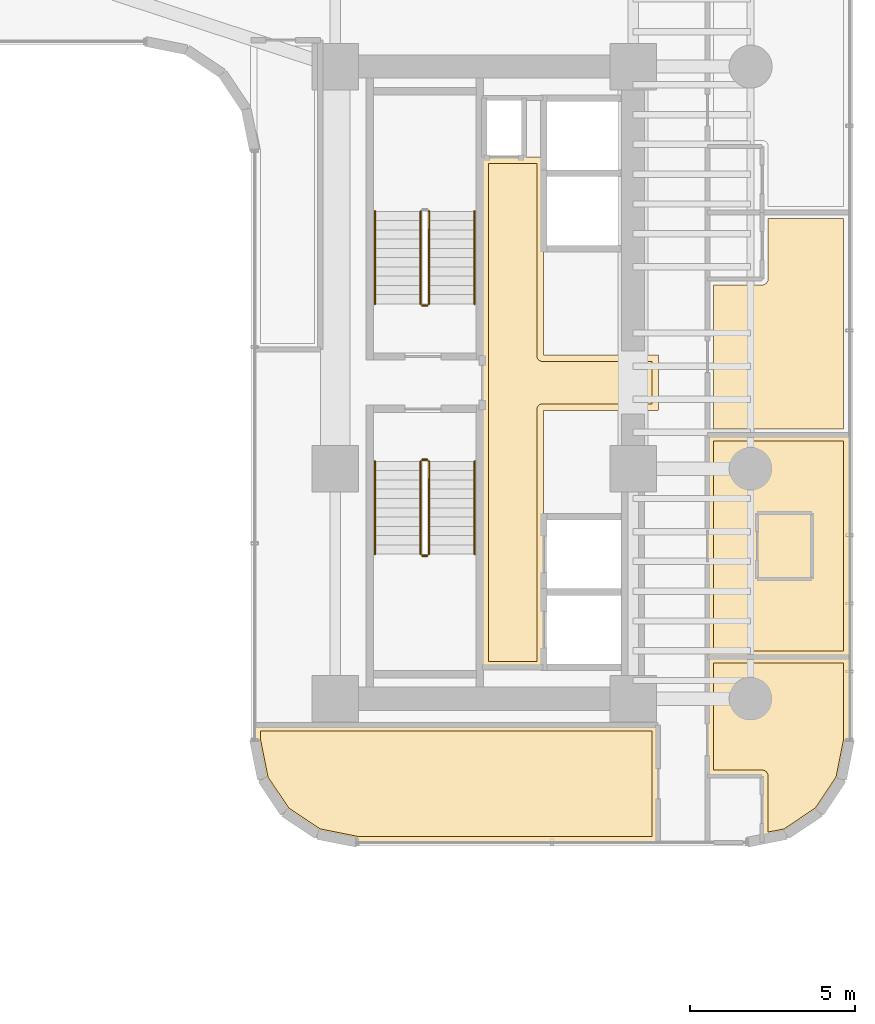
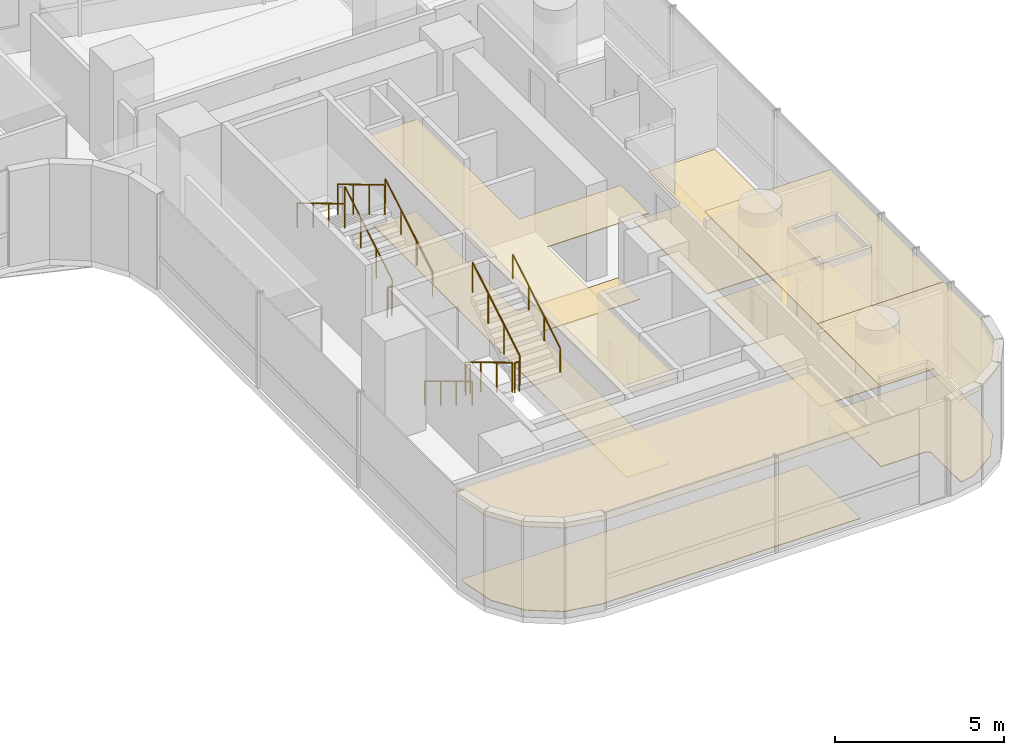
# One storey, part 37 of 39: 11 railings, 9 coverings.
"""IFC4 building model written with IfcOpenShell, lengths in metres."""

from ifc_helpers import new_model, si_unit, direction, frame, origin, origin_2d, place, context, subcontext, project, spatial, polyline, circle, outline, extrude, material, layer, layer_set, type_object, element, save


model = new_model("IFC4")

# Units and contexts
model_context = context("Model", 3, precision=1e-05, world=origin(), true_north=direction((0.0, 1.0)))
body_context = subcontext(model_context, "Body", "Model", "MODEL_VIEW")
ifc_project = project(units=[si_unit("LENGTHUNIT", "METRE"), si_unit("AREAUNIT", "SQUARE_METRE"), si_unit("VOLUMEUNIT", "CUBIC_METRE"), si_unit("PLANEANGLEUNIT", "RADIAN"), si_unit("MASSUNIT", "GRAM", prefix="KILO")], contexts=[model_context])

# Site, building, storey
site_placement = place(None, origin())
site = spatial("IfcSite", under=ifc_project, at=site_placement, CompositionType="ELEMENT")
building_placement = place(site_placement, origin())
building = spatial("IfcBuilding", under=site, at=building_placement, Name="Valdorenza Pilgrim Sanctuary Tower", CompositionType="ELEMENT")
storey_placement = place(building_placement, frame((0.0, 0.0, 74.10009765625)))
storey = spatial("IfcBuildingStorey", under=building, at=storey_placement, Name="L18", CompositionType="ELEMENT", Elevation=74.10009765625)

# Coverings
ifc_material_1 = material(Name="Micro-perforated acoustic mineral ceiling tile", Category="gypsum")
ifc_layer_1 = layer(ifc_material_1, 0.02490234375, Name="Micro-perforated acoustic mineral ceiling tile")
ifc_layer_set_1 = layer_set([ifc_layer_1], Name="Micro-perforated acoustic mineral ceiling tile")
covering_type_1 = type_object("IfcCoveringType", Name="COV-CLG-ACU", PredefinedType="CEILING", material=ifc_layer_set_1)
covering_1_placement = place(storey_placement, frame((0.0, 0.0, 3.159912109375)))
element("IfcCovering", 1, at=covering_1_placement, inside=storey, type_object=covering_type_1, Name="L18 Core B Passenger Lift Lobby Acoustic Ceiling", PredefinedType="CEILING", context=body_context, shape_type="SweptSolid", body=[
    extrude(outline(polyline([(20.287109375, -0.814697265625), (20.287109375, 0.814697265625), (20.28662109375, 0.815185546875), (20.2861328125, 0.81640625), (20.28564453125, 0.81787109375), (20.285400390625, 0.819091796875), (20.28515625, 0.820556640625), (20.284912109375, 0.822021484375), (20.284912109375, 6.800048828125), (20.28515625, 6.801513671875), (20.285400390625, 6.802978515625), (20.28564453125, 6.804443359375), (20.2861328125, 6.8056640625), (20.286865234375, 6.80712890625), (20.28759765625, 6.808349609375), (20.288330078125, 6.8095703125), (20.289306640625, 6.810546875), (20.29052734375, 6.8115234375), (20.291748046875, 6.8125), (20.29296875, 6.813232421875), (20.294189453125, 6.81396484375), (20.295654296875, 6.814453125), (20.297119140625, 6.814697265625), (20.298583984375, 6.81494140625), (20.300048828125, 6.81494140625), (20.347900390625, 6.81494140625), (20.349365234375, 6.81494140625), (20.350830078125, 6.814697265625), (20.352294921875, 6.814453125), (20.353515625, 6.81396484375), (20.35498046875, 6.813232421875), (20.35546875, 6.81298828125), (21.544677734375, 6.81298828125), (21.545166015625, 6.813232421875), (21.54638671875, 6.81396484375), (21.5478515625, 6.814453125), (21.54931640625, 6.814697265625), (21.550537109375, 6.81494140625), (21.552001953125, 6.81494140625), (22.1201171875, 6.81494140625), (22.12158203125, 6.81494140625), (22.122802734375, 6.814697265625), (22.12451171875, 6.814453125), (22.125732421875, 6.81396484375), (22.127197265625, 6.813232421875), (22.12841796875, 6.8125), (22.12939453125, 6.8115234375), (22.130615234375, 6.810546875), (22.131591796875, 6.8095703125), (22.132568359375, 6.808349609375), (22.13330078125, 6.80712890625), (22.1337890625, 6.8056640625), (22.134521484375, 6.804443359375), (22.134765625, 6.802978515625), (22.135009765625, 6.801513671875), (22.135009765625, 6.800048828125), (22.135009765625, 0.8349609375), (25.60009765625, 0.8349609375), (25.6015625, 0.8349609375), (25.602783203125, 0.834716796875), (25.6044921875, 0.83447265625), (25.605712890625, 0.833984375), (25.607177734375, 0.833251953125), (25.6083984375, 0.83251953125), (25.609619140625, 0.83154296875), (25.610595703125, 0.83056640625), (25.611572265625, 0.82958984375), (25.612548828125, 0.828369140625), (25.61328125, 0.8271484375), (25.614013671875, 0.82568359375), (25.614501953125, 0.824462890625), (25.61474609375, 0.822998046875), (25.614990234375, 0.821533203125), (25.614990234375, 0.820068359375), (25.614990234375, -0.820068359375), (25.614990234375, -0.821533203125), (25.61474609375, -0.822998046875), (25.614501953125, -0.824462890625), (25.614013671875, -0.82568359375), (25.61328125, -0.8271484375), (25.612548828125, -0.828369140625), (25.611572265625, -0.82958984375), (25.610595703125, -0.83056640625), (25.609619140625, -0.83154296875), (25.6083984375, -0.83251953125), (25.607177734375, -0.833251953125), (25.605712890625, -0.833984375), (25.6044921875, -0.83447265625), (25.602783203125, -0.834716796875), (25.6015625, -0.8349609375), (25.60009765625, -0.8349609375), (22.135009765625, -0.8349609375), (22.135009765625, -8.60009765625), (22.135009765625, -8.6015625), (22.134765625, -8.602783203125), (22.134521484375, -8.6044921875), (22.1337890625, -8.605712890625), (22.13330078125, -8.607177734375), (22.132568359375, -8.6083984375), (22.131591796875, -8.609619140625), (22.130615234375, -8.610595703125), (22.12939453125, -8.611572265625), (22.12841796875, -8.612548828125), (22.127197265625, -8.61328125), (22.125732421875, -8.614013671875), (22.12451171875, -8.614501953125), (22.122802734375, -8.61474609375), (22.12158203125, -8.614990234375), (22.1201171875, -8.614990234375), (20.300048828125, -8.614990234375), (20.298583984375, -8.614990234375), (20.297119140625, -8.61474609375), (20.295654296875, -8.614501953125), (20.294189453125, -8.614013671875), (20.29296875, -8.61328125), (20.291748046875, -8.612548828125), (20.29052734375, -8.611572265625), (20.289306640625, -8.610595703125), (20.288330078125, -8.609619140625), (20.28759765625, -8.6083984375), (20.286865234375, -8.607177734375), (20.2861328125, -8.605712890625), (20.28564453125, -8.6044921875), (20.285400390625, -8.602783203125), (20.28515625, -8.6015625), (20.284912109375, -8.60009765625), (20.284912109375, -0.822021484375), (20.28515625, -0.820556640625), (20.285400390625, -0.819091796875), (20.28564453125, -0.81787109375), (20.2861328125, -0.81640625), (20.28662109375, -0.815185546875), (20.287109375, -0.814697265625)])), origin(), (0.0, 0.0, 1.0), 0.02490234375),
])
covering_2_placement = place(storey_placement, frame((0.0, 0.0, 3.159912109375)))
element("IfcCovering", 2, at=covering_2_placement, inside=storey, type_object=covering_type_1, Name="L18 Theological Reference Library L18-BS Acoustic Ceiling", PredefinedType="CEILING", context=body_context, shape_type="SweptSolid", body=[
    extrude(outline(polyline([(25.614990234375, -13.889892578125), (25.614990234375, -13.8916015625), (25.61474609375, -13.892822265625), (25.614501953125, -13.894287109375), (25.614013671875, -13.895751953125), (25.61328125, -13.897216796875), (25.612548828125, -13.898193359375), (25.611572265625, -13.8994140625), (25.610595703125, -13.900634765625), (25.609619140625, -13.901611328125), (25.6083984375, -13.902587890625), (25.607177734375, -13.9033203125), (25.605712890625, -13.90380859375), (25.6044921875, -13.904296875), (25.602783203125, -13.90478515625), (25.6015625, -13.90478515625), (25.60009765625, -13.905029296875), (16.5107421875, -13.905029296875), (16.509521484375, -13.90478515625), (16.5078125, -13.90478515625), (15.3154296875, -13.66748046875), (15.31396484375, -13.6669921875), (15.3125, -13.66650390625), (15.311279296875, -13.666015625), (15.31005859375, -13.665283203125), (14.308349609375, -12.995849609375), (14.30712890625, -12.9951171875), (14.305908203125, -12.993896484375), (14.304931640625, -12.992919921875), (14.30419921875, -12.99169921875), (13.634765625, -11.989990234375), (13.634033203125, -11.98876953125), (13.63330078125, -11.9873046875), (13.6328125, -11.986083984375), (13.632568359375, -11.984619140625), (13.395263671875, -10.7919921875), (13.39501953125, -10.79052734375), (13.39501953125, -10.789306640625), (13.39501953125, -10.35009765625), (13.39501953125, -10.348388671875), (13.395263671875, -10.34716796875), (13.3955078125, -10.345703125), (13.39599609375, -10.34423828125), (13.396728515625, -10.343017578125), (13.3974609375, -10.341796875), (13.3984375, -10.340576171875), (13.3994140625, -10.33935546875), (13.400390625, -10.33837890625), (13.401611328125, -10.33740234375), (13.40283203125, -10.3369140625), (13.404296875, -10.336181640625), (13.405517578125, -10.335693359375), (13.406982421875, -10.335205078125), (13.408447265625, -10.335205078125), (13.409912109375, -10.3349609375), (25.60009765625, -10.3349609375), (25.6015625, -10.335205078125), (25.602783203125, -10.335205078125), (25.6044921875, -10.335693359375), (25.605712890625, -10.336181640625), (25.607177734375, -10.3369140625), (25.6083984375, -10.33740234375), (25.609619140625, -10.33837890625), (25.610595703125, -10.33935546875), (25.611572265625, -10.340576171875), (25.612548828125, -10.341796875), (25.61328125, -10.343017578125), (25.614013671875, -10.34423828125), (25.614501953125, -10.345703125), (25.61474609375, -10.34716796875), (25.614990234375, -10.348388671875), (25.614990234375, -10.35009765625), (25.614990234375, -13.889892578125)])), origin(), (0.0, 0.0, 1.0), 0.02490234375),
])
covering_3_placement = place(storey_placement, frame((0.0, 0.0, 3.159912109375)))
element("IfcCovering", 3, at=covering_3_placement, inside=storey, type_object=covering_type_1, Name="L18 East Sanctuary Guest Room L18-EG1 Acoustic Ceiling", PredefinedType="CEILING", context=body_context, shape_type="SweptSolid", body=[
    extrude(outline(polyline([(28.737060546875, -11.903076171875), (27.10009765625, -11.903076171875), (27.098388671875, -11.90283203125), (27.09716796875, -11.902587890625), (27.095703125, -11.90234375), (27.09423828125, -11.90185546875), (27.093017578125, -11.901123046875), (27.091796875, -11.900390625), (27.090576171875, -11.899658203125), (27.08935546875, -11.898681640625), (27.08837890625, -11.8974609375), (27.08740234375, -11.896240234375), (27.0869140625, -11.89501953125), (27.086181640625, -11.893798828125), (27.085693359375, -11.892333984375), (27.085205078125, -11.890869140625), (27.085205078125, -11.889404296875), (27.0849609375, -11.887939453125), (27.0849609375, -8.287109375), (27.085205078125, -8.285400390625), (27.085205078125, -8.2841796875), (27.085693359375, -8.28271484375), (27.086181640625, -8.28125), (27.0869140625, -8.27978515625), (27.08740234375, -8.27880859375), (27.08837890625, -8.277587890625), (27.08935546875, -8.2763671875), (27.090576171875, -8.275390625), (27.091796875, -8.2744140625), (27.093017578125, -8.273681640625), (27.09423828125, -8.273193359375), (27.095703125, -8.272705078125), (27.09716796875, -8.272216796875), (27.098388671875, -8.272216796875), (27.10009765625, -8.27197265625), (31.389892578125, -8.27197265625), (31.3916015625, -8.272216796875), (31.392822265625, -8.272216796875), (31.394287109375, -8.272705078125), (31.395751953125, -8.273193359375), (31.397216796875, -8.273681640625), (31.398193359375, -8.2744140625), (31.3994140625, -8.275390625), (31.400634765625, -8.2763671875), (31.401611328125, -8.277587890625), (31.402587890625, -8.27880859375), (31.4033203125, -8.27978515625), (31.40380859375, -8.28125), (31.404296875, -8.28271484375), (31.40478515625, -8.2841796875), (31.40478515625, -8.285400390625), (31.405029296875, -8.287109375), (31.405029296875, -10.789306640625), (31.40478515625, -10.79052734375), (31.40478515625, -10.7919921875), (31.16748046875, -11.984619140625), (31.1669921875, -11.986083984375), (31.16650390625, -11.9873046875), (31.166015625, -11.98876953125), (31.165283203125, -11.989990234375), (30.495849609375, -12.99169921875), (30.4951171875, -12.992919921875), (30.493896484375, -12.993896484375), (30.492919921875, -12.9951171875), (30.49169921875, -12.995849609375), (29.489990234375, -13.665283203125), (29.48876953125, -13.666015625), (29.4873046875, -13.66650390625), (29.486083984375, -13.6669921875), (29.484619140625, -13.66748046875), (28.7548828125, -13.8125), (28.75341796875, -13.81298828125), (28.751953125, -13.81298828125), (28.75048828125, -13.81298828125), (28.7490234375, -13.8125), (28.74755859375, -13.812255859375), (28.746337890625, -13.811767578125), (28.744873046875, -13.811279296875), (28.74365234375, -13.810302734375), (28.742431640625, -13.8095703125), (28.741455078125, -13.80859375), (28.740478515625, -13.807373046875), (28.739501953125, -13.806396484375), (28.73876953125, -13.804931640625), (28.738037109375, -13.8037109375), (28.737548828125, -13.80224609375), (28.7373046875, -13.80078125), (28.737060546875, -13.79931640625), (28.737060546875, -13.7978515625), (28.737060546875, -11.903076171875)])), origin(), (0.0, 0.0, 1.0), 0.02490234375),
])
covering_4_placement = place(storey_placement, frame((0.0, 0.0, 3.159912109375)))
element("IfcCovering", 4, at=covering_4_placement, inside=storey, type_object=covering_type_1, Name="L18 East Sanctuary Guest Room L18-EG2 Acoustic Ceiling", PredefinedType="CEILING", context=body_context, shape_type="SweptSolid", body=[
    extrude(outline(polyline([(31.389892578125, -1.56005859375), (31.3916015625, -1.56005859375), (31.392822265625, -1.560302734375), (31.394287109375, -1.560546875), (31.395751953125, -1.56103515625), (31.397216796875, -1.561767578125), (31.398193359375, -1.5625), (31.3994140625, -1.5634765625), (31.400634765625, -1.564453125), (31.401611328125, -1.5654296875), (31.402587890625, -1.566650390625), (31.4033203125, -1.56787109375), (31.40380859375, -1.5693359375), (31.404296875, -1.570556640625), (31.40478515625, -1.572021484375), (31.40478515625, -1.573486328125), (31.405029296875, -1.574951171875), (31.405029296875, -8.284912109375), (31.40478515625, -8.28662109375), (31.40478515625, -8.287841796875), (31.404296875, -8.289306640625), (31.40380859375, -8.290771484375), (31.4033203125, -8.2919921875), (31.402587890625, -8.293212890625), (31.401611328125, -8.29443359375), (31.400634765625, -8.295654296875), (31.3994140625, -8.296630859375), (31.398193359375, -8.297607421875), (31.397216796875, -8.298095703125), (31.395751953125, -8.298828125), (31.394287109375, -8.29931640625), (31.392822265625, -8.2998046875), (31.3916015625, -8.2998046875), (31.389892578125, -8.300048828125), (27.10009765625, -8.300048828125), (27.098388671875, -8.2998046875), (27.09716796875, -8.2998046875), (27.095703125, -8.29931640625), (27.09423828125, -8.298828125), (27.093017578125, -8.298095703125), (27.091796875, -8.297607421875), (27.090576171875, -8.296630859375), (27.08935546875, -8.295654296875), (27.08837890625, -8.29443359375), (27.08740234375, -8.293212890625), (27.0869140625, -8.2919921875), (27.086181640625, -8.290771484375), (27.085693359375, -8.289306640625), (27.085205078125, -8.287841796875), (27.085205078125, -8.28662109375), (27.0849609375, -8.284912109375), (27.0849609375, -1.574951171875), (27.085205078125, -1.573486328125), (27.085205078125, -1.572021484375), (27.085693359375, -1.570556640625), (27.086181640625, -1.5693359375), (27.0869140625, -1.56787109375), (27.08740234375, -1.566650390625), (27.08837890625, -1.5654296875), (27.08935546875, -1.564453125), (27.090576171875, -1.5634765625), (27.091796875, -1.5625), (27.093017578125, -1.561767578125), (27.09423828125, -1.56103515625), (27.095703125, -1.560546875), (27.09716796875, -1.560302734375), (27.098388671875, -1.56005859375), (27.10009765625, -1.56005859375), (31.389892578125, -1.56005859375)])), origin(), (0.0, 0.0, 1.0), 0.02490234375),
])
ifc_material_2 = material(Name="Engineered European oak timber flooring", Category="wood")
ifc_layer_2 = layer(ifc_material_2, 0.02197265625, Name="Engineered European oak timber flooring")
ifc_layer_set_2 = layer_set([ifc_layer_2], Name="Engineered European oak timber flooring")
covering_type_2 = type_object("IfcCoveringType", Name="COV-FLR-OAK", PredefinedType="FLOORING", material=ifc_layer_set_2)
covering_5_placement = place(storey_placement, origin())
element("IfcCovering", 5, at=covering_5_placement, inside=storey, type_object=covering_type_2, Name="L18 East Sanctuary Guest Room L18-EG1 Flooring", PredefinedType="FLOORING", context=body_context, shape_type="SweptSolid", body=[
    extrude(outline(polyline([(31.2099609375, -10.771484375), (30.983154296875, -11.911376953125), (30.353515625, -12.853515625), (29.411376953125, -13.483154296875), (28.931884765625, -13.57861328125), (28.931884765625, -11.889892578125), (28.931884765625, -11.881103515625), (28.931884765625, -11.881103515625), (28.929931640625, -11.86328125), (28.929931640625, -11.86328125), (28.926513671875, -11.845947265625), (28.926513671875, -11.845703125), (28.92138671875, -11.828857421875), (28.92138671875, -11.82861328125), (28.91455078125, -11.812255859375), (28.91455078125, -11.81201171875), (28.90625, -11.79638671875), (28.906005859375, -11.79638671875), (28.896240234375, -11.78173828125), (28.89599609375, -11.781494140625), (28.885009765625, -11.767822265625), (28.884765625, -11.767578125), (28.872314453125, -11.755126953125), (28.8720703125, -11.755126953125), (28.8583984375, -11.743896484375), (28.8583984375, -11.743896484375), (28.843505859375, -11.73388671875), (28.843505859375, -11.73388671875), (28.827880859375, -11.7255859375), (28.82763671875, -11.725341796875), (28.811279296875, -11.71875), (28.811279296875, -11.718505859375), (28.794189453125, -11.71337890625), (28.794189453125, -11.71337890625), (28.77685546875, -11.7099609375), (28.776611328125, -11.7099609375), (28.759033203125, -11.708251953125), (28.7587890625, -11.708251953125), (28.75, -11.7080078125), (27.280029296875, -11.7080078125), (27.280029296875, -8.467041015625), (31.2099609375, -8.467041015625), (31.2099609375, -10.771484375)])), origin(), (0.0, 0.0, 1.0), 0.02490234375),
])
covering_6_placement = place(storey_placement, origin())
element("IfcCovering", 6, at=covering_6_placement, inside=storey, type_object=covering_type_2, Name="L18 East Sanctuary Guest Room L18-EG2 Flooring", PredefinedType="FLOORING", context=body_context, shape_type="SweptSolid", body=[
    extrude(outline(polyline([(31.2099609375, -1.7548828125), (31.2099609375, -8.10498046875), (27.280029296875, -8.10498046875), (27.280029296875, -1.7548828125), (31.2099609375, -1.7548828125)])), origin(), (0.0, 0.0, 1.0), 0.02490234375),
])
covering_7_placement = place(storey_placement, origin())
element("IfcCovering", 7, at=covering_7_placement, inside=storey, type_object=covering_type_2, Name="L18 East Sanctuary Guest Room L18-EG3 Flooring", PredefinedType="FLOORING", context=body_context, shape_type="SweptSolid", body=[
    extrude(outline(polyline([(27.280029296875, 2.9560546875), (28.75, 2.9560546875), (28.7587890625, 2.956298828125), (28.759033203125, 2.956298828125), (28.776611328125, 2.9580078125), (28.77685546875, 2.9580078125), (28.794189453125, 2.96142578125), (28.794189453125, 2.96142578125), (28.811279296875, 2.966552734375), (28.811279296875, 2.966796875), (28.82763671875, 2.973388671875), (28.827880859375, 2.973388671875), (28.843505859375, 2.981689453125), (28.843505859375, 2.98193359375), (28.8583984375, 2.99169921875), (28.8583984375, 2.991943359375), (28.8720703125, 3.003173828125), (28.872314453125, 3.003173828125), (28.884765625, 3.015625), (28.885009765625, 3.015869140625), (28.89599609375, 3.029541015625), (28.896240234375, 3.02978515625), (28.906005859375, 3.04443359375), (28.90625, 3.04443359375), (28.91455078125, 3.06005859375), (28.91455078125, 3.060302734375), (28.92138671875, 3.07666015625), (28.92138671875, 3.076904296875), (28.926513671875, 3.09375), (28.926513671875, 3.093994140625), (28.929931640625, 3.111083984375), (28.929931640625, 3.111328125), (28.931884765625, 3.12890625), (28.931884765625, 3.129150390625), (28.931884765625, 3.137939453125), (28.931884765625, 4.9580078125), (31.2099609375, 4.9580078125), (31.2099609375, -1.39306640625), (27.280029296875, -1.39306640625), (27.280029296875, 2.9560546875)])), origin(), (0.0, 0.0, 1.0), 0.02490234375),
])
ifc_material_3 = material(Name="Honed travertine stone flooring", Category="masonry")
ifc_layer_3 = layer(ifc_material_3, 0.030029296875, Name="Honed travertine stone flooring")
ifc_layer_set_3 = layer_set([ifc_layer_3], Name="Honed travertine stone flooring")
covering_type_3 = type_object("IfcCoveringType", Name="COV-FLR-TRV", PredefinedType="FLOORING", material=ifc_layer_set_3)
covering_8_placement = place(storey_placement, origin())
element("IfcCovering", 8, at=covering_8_placement, inside=storey, type_object=covering_type_3, Name="L18 Core B Passenger Lift Lobby Flooring", PredefinedType="FLOORING", context=body_context, shape_type="SweptSolid", body=[
    extrude(outline(polyline([(20.47998046875, 6.617919921875), (21.550048828125, 6.617919921875), (21.550537109375, 6.617919921875), (21.93994140625, 6.619384765625), (21.93994140625, 0.820068359375), (21.94091796875, 0.802490234375), (21.943603515625, 0.784912109375), (21.94775390625, 0.767578125), (21.95361328125, 0.751220703125), (21.961181640625, 0.735107421875), (21.97021484375, 0.719970703125), (21.98095703125, 0.705810546875), (21.99267578125, 0.692626953125), (22.005859375, 0.680908203125), (22.02001953125, 0.67041015625), (22.03515625, 0.661376953125), (22.051025390625, 0.65380859375), (22.067626953125, 0.647705078125), (22.0849609375, 0.6435546875), (22.102294921875, 0.640869140625), (22.1201171875, 0.639892578125), (25.419921875, 0.639892578125), (25.419921875, -0.639892578125), (22.1201171875, -0.639892578125), (22.102294921875, -0.640869140625), (22.0849609375, -0.6435546875), (22.067626953125, -0.647705078125), (22.051025390625, -0.65380859375), (22.03515625, -0.661376953125), (22.02001953125, -0.67041015625), (22.005859375, -0.680908203125), (21.99267578125, -0.692626953125), (21.98095703125, -0.705810546875), (21.97021484375, -0.719970703125), (21.961181640625, -0.735107421875), (21.95361328125, -0.751220703125), (21.94775390625, -0.767578125), (21.943603515625, -0.784912109375), (21.94091796875, -0.802490234375), (21.93994140625, -0.820068359375), (21.93994140625, -8.419921875), (20.47998046875, -8.419921875), (20.47998046875, -0.846923828125), (20.47998046875, -0.8466796875), (20.47998046875, -0.8466796875), (20.481689453125, -0.8291015625), (20.481689453125, -0.828857421875), (20.48193359375, -0.820068359375), (20.48193359375, 0.820068359375), (20.47998046875, 6.617919921875)])), origin(), (0.0, 0.0, 1.0), 0.02490234375),
])
covering_9_placement = place(storey_placement, origin())
element("IfcCovering", 9, at=covering_9_placement, inside=storey, type_object=covering_type_3, Name="L18 Theological Reference Library L18-BS Flooring", PredefinedType="FLOORING", context=body_context, shape_type="SweptSolid", body=[
    extrude(outline(polyline([(25.419921875, -13.7099609375), (16.528564453125, -13.7099609375), (15.388671875, -13.483154296875), (14.4462890625, -12.853515625), (13.81689453125, -11.911376953125), (13.590087890625, -10.771484375), (13.590087890625, -10.530029296875), (25.419921875, -10.530029296875), (25.419921875, -13.7099609375)])), origin(), (0.0, 0.0, 1.0), 0.02490234375),
])

# Railings
ifc_material_4 = material(Name="Stainless steel Grade 316", Category="steel")
railing_type_1 = type_object("IfcRailingType", Name="RLG-GRD-1120", PredefinedType="GUARDRAIL", material=ifc_material_4)
railing_1_placement = place(storey_placement, frame((18.679931640625, 2.3798828125, 0.16796875)))
element("IfcRailing", 10, at=railing_1_placement, inside=storey, type_object=railing_type_1, Name="L18 ST-B1 stair guard 1", PredefinedType="GUARDRAIL", context=body_context, shape_type="SweptSolid", body=[
    extrude(circle(Radius=0.02392578125, at=origin_2d()), frame((0.0, 0.0, 1.076171875), z_axis=(0.0, 0.857242210791, 0.514913383045), x_axis=(-1.0, 0.0, 0.0)), (0.0, 0.0, 1.0), 3.266357421875),
    extrude(circle(Radius=0.02099609375, at=origin_2d()), origin(), (0.0, 0.0, 1.0), 1.052001953125),
    extrude(circle(Radius=0.02099609375, at=origin_2d()), frame((0.0, 0.933349609375, 0.560546875)), (0.0, 0.0, 1.0), 1.052001953125),
    extrude(circle(Radius=0.02099609375, at=origin_2d()), frame((0.0, 1.86669921875, 1.121337890625)), (0.0, 0.0, 1.0), 1.052001953125),
    extrude(circle(Radius=0.02099609375, at=origin_2d()), frame((0.0, 2.800048828125, 1.681884765625)), (0.0, 0.0, 1.0), 1.052001953125),
])
railing_2_placement = place(storey_placement, frame((18.429931640625, 5.179931640625, 2.01806640625)))
element("IfcRailing", 11, at=railing_2_placement, inside=storey, type_object=railing_type_1, Name="L18 ST-B1 stair guard 3", PredefinedType="GUARDRAIL", context=body_context, shape_type="SweptSolid", body=[
    extrude(circle(Radius=0.02392578125, at=origin_2d()), frame((0.0, 0.0, 1.076171875), z_axis=(0.0, -0.857242210791, 0.514913383045), x_axis=(1.0, 0.0, 0.0)), (0.0, 0.0, 1.0), 3.266357421875),
    extrude(circle(Radius=0.02099609375, at=origin_2d()), origin(), (0.0, 0.0, 1.0), 1.052001953125),
    extrude(circle(Radius=0.02099609375, at=origin_2d()), frame((0.0, -0.933349609375, 0.560546875)), (0.0, 0.0, 1.0), 1.052001953125),
    extrude(circle(Radius=0.02099609375, at=origin_2d()), frame((0.0, -1.86669921875, 1.121337890625)), (0.0, 0.0, 1.0), 1.052001953125),
    extrude(circle(Radius=0.02099609375, at=origin_2d()), frame((0.0, -2.800048828125, 1.681884765625)), (0.0, 0.0, 1.0), 1.052001953125),
])
railing_3_placement = place(storey_placement, frame((18.6298828125, 2.330078125, 0.0)))
element("IfcRailing", 12, at=railing_3_placement, inside=storey, type_object=railing_type_1, Name="L18 ST-B1 stair guard 4", PredefinedType="GUARDRAIL", context=body_context, shape_type="SweptSolid", body=[
    extrude(circle(Radius=0.02392578125, at=origin_2d()), frame((0.0, 0.0, 1.076171875), z_axis=(-1.0, 0.0, 0.0), x_axis=(0.0, -1.0, 0.0)), (0.0, 0.0, 1.0), 0.14990234375),
    extrude(circle(Radius=0.02099609375, at=origin_2d()), origin(), (0.0, 0.0, 1.0), 1.052001953125),
    extrude(circle(Radius=0.02099609375, at=origin_2d()), frame((-0.14990234375, 0.0, 0.0)), (0.0, 0.0, 1.0), 1.052001953125),
])
railing_4_placement = place(storey_placement, frame((18.429931640625, -2.3798828125, 0.16796875)))
element("IfcRailing", 13, at=railing_4_placement, inside=storey, type_object=railing_type_1, Name="L18 ST-B2 stair guard 1", PredefinedType="GUARDRAIL", context=body_context, shape_type="SweptSolid", body=[
    extrude(circle(Radius=0.02392578125, at=origin_2d()), frame((0.0, 0.0, 1.076171875), z_axis=(0.0, -0.857242210791, 0.514913383045), x_axis=(1.0, 0.0, 0.0)), (0.0, 0.0, 1.0), 3.266357421875),
    extrude(circle(Radius=0.02099609375, at=origin_2d()), origin(), (0.0, 0.0, 1.0), 1.052001953125),
    extrude(circle(Radius=0.02099609375, at=origin_2d()), frame((0.0, -0.933349609375, 0.560546875)), (0.0, 0.0, 1.0), 1.052001953125),
    extrude(circle(Radius=0.02099609375, at=origin_2d()), frame((0.0, -1.86669921875, 1.121337890625)), (0.0, 0.0, 1.0), 1.052001953125),
    extrude(circle(Radius=0.02099609375, at=origin_2d()), frame((0.0, -2.800048828125, 1.681884765625)), (0.0, 0.0, 1.0), 1.052001953125),
])
railing_5_placement = place(storey_placement, frame((18.47998046875, -5.22998046875, 1.849853515625)))
element("IfcRailing", 14, at=railing_5_placement, inside=storey, type_object=railing_type_1, Name="L18 ST-B2 stair guard 2", PredefinedType="GUARDRAIL", context=body_context, shape_type="SweptSolid", body=[
    extrude(circle(Radius=0.02392578125, at=origin_2d()), frame((0.0, 0.0, 1.076171875), z_axis=(1.0, 0.0, 0.0), x_axis=(0.0, 1.0, 0.0)), (0.0, 0.0, 1.0), 0.14990234375),
    extrude(circle(Radius=0.02099609375, at=origin_2d()), origin(), (0.0, 0.0, 1.0), 1.052001953125),
    extrude(circle(Radius=0.02099609375, at=origin_2d()), frame((0.14990234375, 0.0, 0.0)), (0.0, 0.0, 1.0), 1.052001953125),
])
railing_6_placement = place(storey_placement, frame((18.679931640625, -5.179931640625, 2.01806640625)))
element("IfcRailing", 15, at=railing_6_placement, inside=storey, type_object=railing_type_1, Name="L18 ST-B2 stair guard 3", PredefinedType="GUARDRAIL", context=body_context, shape_type="SweptSolid", body=[
    extrude(circle(Radius=0.02392578125, at=origin_2d()), frame((0.0, 0.0, 1.076171875), z_axis=(0.0, 0.857242210791, 0.514913383045), x_axis=(-1.0, 0.0, 0.0)), (0.0, 0.0, 1.0), 3.266357421875),
    extrude(circle(Radius=0.02099609375, at=origin_2d()), origin(), (0.0, 0.0, 1.0), 1.052001953125),
    extrude(circle(Radius=0.02099609375, at=origin_2d()), frame((0.0, 0.933349609375, 0.560546875)), (0.0, 0.0, 1.0), 1.052001953125),
    extrude(circle(Radius=0.02099609375, at=origin_2d()), frame((0.0, 1.86669921875, 1.121337890625)), (0.0, 0.0, 1.0), 1.052001953125),
    extrude(circle(Radius=0.02099609375, at=origin_2d()), frame((0.0, 2.800048828125, 1.681884765625)), (0.0, 0.0, 1.0), 1.052001953125),
])
railing_7_placement = place(storey_placement, frame((18.47998046875, -2.330078125, 0.0)))
element("IfcRailing", 16, at=railing_7_placement, inside=storey, type_object=railing_type_1, Name="L18 ST-B2 stair guard 4", PredefinedType="GUARDRAIL", context=body_context, shape_type="SweptSolid", body=[
    extrude(circle(Radius=0.02392578125, at=origin_2d()), frame((0.0, 0.0, 1.076171875), z_axis=(1.0, 0.0, 0.0), x_axis=(0.0, 1.0, 0.0)), (0.0, 0.0, 1.0), 0.14990234375),
    extrude(circle(Radius=0.02099609375, at=origin_2d()), origin(), (0.0, 0.0, 1.0), 1.052001953125),
    extrude(circle(Radius=0.02099609375, at=origin_2d()), frame((0.14990234375, 0.0, 0.0)), (0.0, 0.0, 1.0), 1.052001953125),
])
ifc_material_5 = material(Name="Brushed stainless steel Grade 316", Category="steel")
railing_type_2 = type_object("IfcRailingType", Name="RLG-HND-920", PredefinedType="HANDRAIL", material=ifc_material_5)
railing_8_placement = place(storey_placement, frame((20.06005859375, 2.3798828125, 0.16796875)))
element("IfcRailing", 17, at=railing_8_placement, inside=storey, type_object=railing_type_2, Name="L18 ST-B1 stair handrail 1", PredefinedType="HANDRAIL", context=body_context, shape_type="SweptSolid", body=[
    extrude(circle(Radius=0.02392578125, at=origin_2d()), frame((0.0, 0.0, 0.8759765625), z_axis=(0.0, 0.857242210791, 0.514913383045), x_axis=(-1.0, 0.0, 0.0)), (0.0, 0.0, 1.0), 3.266357421875),
    extrude(circle(Radius=0.02099609375, at=origin_2d()), origin(), (0.0, 0.0, 1.0), 0.851806640625),
    extrude(circle(Radius=0.02099609375, at=origin_2d()), frame((0.0, 0.933349609375, 0.560546875)), (0.0, 0.0, 1.0), 0.851806640625),
    extrude(circle(Radius=0.02099609375, at=origin_2d()), frame((0.0, 1.86669921875, 1.121337890625)), (0.0, 0.0, 1.0), 0.851806640625),
    extrude(circle(Radius=0.02099609375, at=origin_2d()), frame((0.0, 2.800048828125, 1.681884765625)), (0.0, 0.0, 1.0), 0.851806640625),
])
for number, where, name in (
    (18, (17.050048828125, 5.179931640625, 2.01806640625), "L18 ST-B1 stair handrail 2"),
    (19, (17.050048828125, -2.3798828125, 0.16796875), "L18 ST-B2 stair handrail 1"),
):
    element("IfcRailing", number, at=place(storey_placement, frame(where)), inside=storey, type_object=railing_type_2, Name=name, PredefinedType="HANDRAIL", context=body_context, shape_type="SweptSolid", body=[
        extrude(circle(Radius=0.02392578125, at=origin_2d()), frame((0.0, 0.0, 0.8759765625), z_axis=(0.0, -0.857242210791, 0.514913383045), x_axis=(1.0, 0.0, 0.0)), (0.0, 0.0, 1.0), 3.266357421875),
        extrude(circle(Radius=0.02099609375, at=origin_2d()), origin(), (0.0, 0.0, 1.0), 0.851806640625),
        extrude(circle(Radius=0.02099609375, at=origin_2d()), frame((0.0, -0.933349609375, 0.560546875)), (0.0, 0.0, 1.0), 0.851806640625),
        extrude(circle(Radius=0.02099609375, at=origin_2d()), frame((0.0, -1.86669921875, 1.121337890625)), (0.0, 0.0, 1.0), 0.851806640625),
        extrude(circle(Radius=0.02099609375, at=origin_2d()), frame((0.0, -2.800048828125, 1.681884765625)), (0.0, 0.0, 1.0), 0.851806640625),
    ])
railing_9_placement = place(storey_placement, frame((20.06005859375, -5.179931640625, 2.01806640625)))
element("IfcRailing", 20, at=railing_9_placement, inside=storey, type_object=railing_type_2, Name="L18 ST-B2 stair handrail 2", PredefinedType="HANDRAIL", context=body_context, shape_type="SweptSolid", body=[
    extrude(circle(Radius=0.02392578125, at=origin_2d()), frame((0.0, 0.0, 0.8759765625), z_axis=(0.0, 0.857242210791, 0.514913383045), x_axis=(-1.0, 0.0, 0.0)), (0.0, 0.0, 1.0), 3.266357421875),
    extrude(circle(Radius=0.02099609375, at=origin_2d()), origin(), (0.0, 0.0, 1.0), 0.851806640625),
    extrude(circle(Radius=0.02099609375, at=origin_2d()), frame((0.0, 0.933349609375, 0.560546875)), (0.0, 0.0, 1.0), 0.851806640625),
    extrude(circle(Radius=0.02099609375, at=origin_2d()), frame((0.0, 1.86669921875, 1.121337890625)), (0.0, 0.0, 1.0), 0.851806640625),
    extrude(circle(Radius=0.02099609375, at=origin_2d()), frame((0.0, 2.800048828125, 1.681884765625)), (0.0, 0.0, 1.0), 0.851806640625),
])

save(model, "model.ifc")
